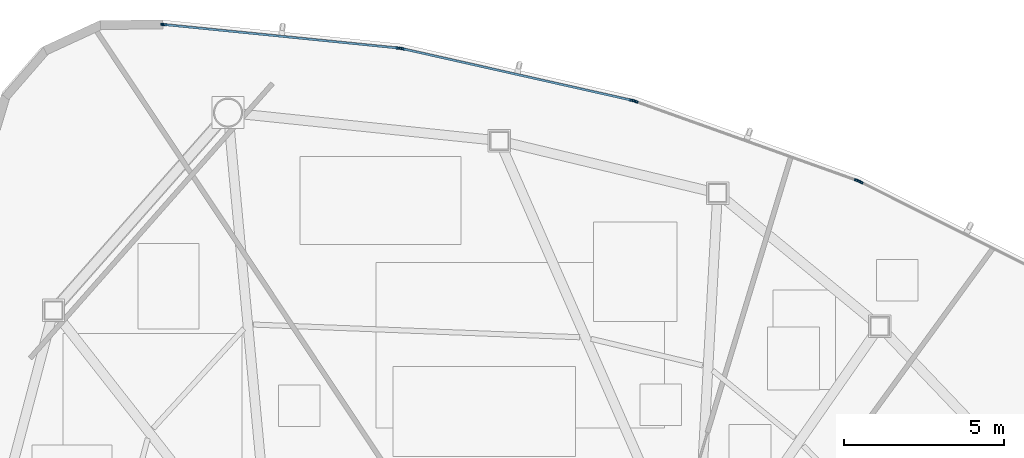
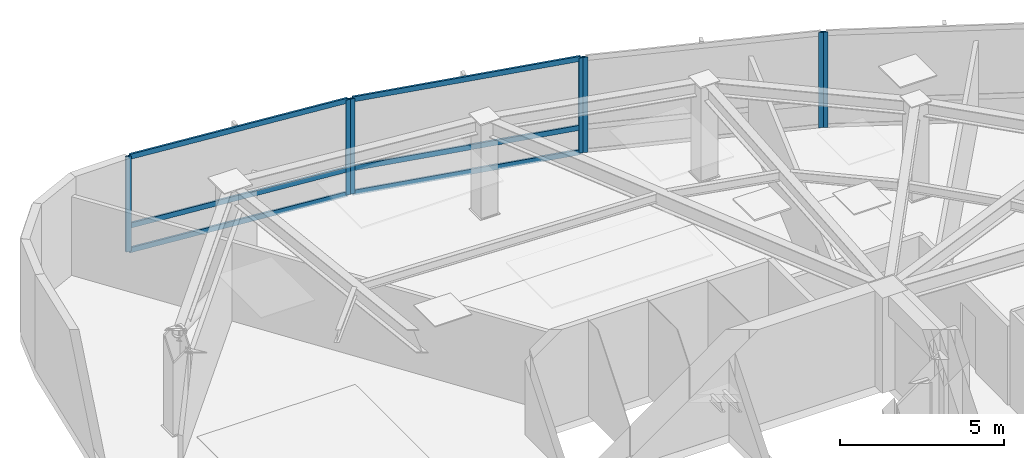
# One storey, part 8 of 17: 13 members, 4 elements without a shape of their own.
"""IFC4 building model written with IfcOpenShell, lengths in metres."""

from ifc_helpers import new_model, si_unit, direction, frame, origin, origin_2d, place, context, subcontext, project, spatial, hollow_rectangle, extrude, source, transform, mapped, material, layer, layer_set, material_profile, profile_set, type_object, type_shapes, element, aggregate, save


model = new_model("IFC4")

# Units and contexts
model_context = context("Model", 3, precision=1e-05, world=origin(), true_north=direction((0.0, 1.0)))
body_context = subcontext(model_context, "Body", "Model", "MODEL_VIEW")
ifc_project = project(units=[si_unit("LENGTHUNIT", "METRE"), si_unit("AREAUNIT", "SQUARE_METRE"), si_unit("VOLUMEUNIT", "CUBIC_METRE"), si_unit("PLANEANGLEUNIT", "RADIAN"), si_unit("MASSUNIT", "GRAM", prefix="KILO")], contexts=[model_context])

# Site, building, storey
site_placement = place(None, origin())
site = spatial("IfcSite", under=ifc_project, at=site_placement, CompositionType="ELEMENT")
building_placement = place(site_placement, origin())
building = spatial("IfcBuilding", under=site, at=building_placement, Name="Tavelor Broadcast Tower", CompositionType="ELEMENT")
storey_placement = place(building_placement, frame((0.0, 0.0, 188.75)))
storey = spatial("IfcBuildingStorey", under=building, at=storey_placement, Name="L45", CompositionType="ELEMENT", Elevation=188.75)

# Curtain wall, member
ifc_material = material(Name="Architectural Anodized Aluminium", Category="aluminium")
ifc_layer = layer(ifc_material, 0.18994140625)
ifc_layer_set = layer_set([ifc_layer], Name="Architectural Anodized Aluminium")
curtain_wall_type = type_object("IfcCurtainWallType", Name="Tower Mid-Zone Acoustic Curtain Wall CW03", PredefinedType="NOTDEFINED", material=ifc_layer_set)
curtain_wall_1_placement = place(storey_placement, origin())
curtain_wall_1 = element("IfcCurtainWall", 1, at=curtain_wall_1_placement, inside=storey, type_object=curtain_wall_type, Name="L45 Curtain Wall CW03 Run 489", PredefinedType="NOTDEFINED")
ifc_material_profile_1 = material_profile(ifc_material, hollow_rectangle(XDim=0.068115234375, YDim=0.18994140625, WallThickness=0.02197265625, at=origin_2d()), Name="RHS 68x190x22")
ifc_profile_set_1 = profile_set([ifc_material_profile_1], Name="Architectural Anodized Aluminium")
member_type_1 = type_object("IfcMemberType", Name="CW03 Extruded Aluminium Mullion 68x190", PredefinedType="MULLION", material=ifc_profile_set_1)
shared_shape_1 = source(origin(), body_context, "Body", "SweptSolid", [
    extrude(hollow_rectangle(XDim=0.068115234375, YDim=0.18994140625, WallThickness=0.02197265625, at=origin_2d()), origin(), (0.0, 0.0, 1.0), 3.550048828125),
])
type_shapes(member_type_1, [shared_shape_1])
member_1_placement = place(storey_placement, frame((61.72509765625, 63.924072265625, 0.0), z_axis=(0.0, 0.0, 1.0), x_axis=(-0.447369532173, -0.894349205671, 0.0)))
member_1 = element("IfcMember", 2, at=member_1_placement, type_object=member_type_1, Name="CW03 mullion 2", PredefinedType="MULLION", context=body_context, shape_type="MappedRepresentation", body=[
    mapped(shared_shape_1, transform((0.0, 0.0, 0.0), scale=1.0)),
])
aggregate(curtain_wall_1, [member_1])

# Curtain wall, members
curtain_wall_2_placement = place(storey_placement, origin())
curtain_wall_2 = element("IfcCurtainWall", 3, at=curtain_wall_2_placement, inside=storey, type_object=curtain_wall_type, Name="L45 Curtain Wall CW03 Run 490", PredefinedType="NOTDEFINED")
member_2_placement = place(storey_placement, frame((61.635009765625, 63.96240234375, 0.0), z_axis=(0.0, 0.0, 1.0), x_axis=(-0.335864454315, -0.941910329239, 0.0)))
member_2 = element("IfcMember", 4, at=member_2_placement, type_object=member_type_1, Name="CW03 mullion 1", PredefinedType="MULLION", context=body_context, shape_type="MappedRepresentation", body=[
    mapped(shared_shape_1, transform((0.0, 0.0, 0.0), scale=1.0)),
])
member_3_placement = place(storey_placement, frame((54.706787109375, 66.432861328125, 0.0), z_axis=(0.0, 0.0, 1.0), x_axis=(-0.335864454315, -0.941910329239, 0.0)))
member_3 = element("IfcMember", 5, at=member_3_placement, type_object=member_type_1, Name="CW03 mullion 2", PredefinedType="MULLION", context=body_context, shape_type="MappedRepresentation", body=[
    mapped(shared_shape_1, transform((0.0, 0.0, 0.0), scale=1.0)),
])
aggregate(curtain_wall_2, [member_2, member_3])

curtain_wall_3_placement = place(storey_placement, origin())
curtain_wall_3 = element("IfcCurtainWall", 6, at=curtain_wall_3_placement, inside=storey, type_object=curtain_wall_type, Name="L45 Curtain Wall CW03 Run 491", PredefinedType="NOTDEFINED")
member_4_placement = place(storey_placement, frame((54.61279296875, 66.460205078125, 0.0), z_axis=(0.0, 0.0, 1.0), x_axis=(-0.219405776906, -0.975633694098, 0.0)))
member_4 = element("IfcMember", 7, at=member_4_placement, type_object=member_type_1, Name="CW03 mullion 1", PredefinedType="MULLION", context=body_context, shape_type="MappedRepresentation", body=[
    mapped(shared_shape_1, transform((0.0, 0.0, 0.0), scale=1.0)),
])
member_5_placement = place(storey_placement, frame((47.436279296875, 68.073974609375, 0.0), z_axis=(0.0, 0.0, 1.0), x_axis=(-0.219405776906, -0.975633694098, 0.0)))
member_5 = element("IfcMember", 8, at=member_5_placement, type_object=member_type_1, Name="CW03 mullion 2", PredefinedType="MULLION", context=body_context, shape_type="MappedRepresentation", body=[
    mapped(shared_shape_1, transform((0.0, 0.0, 0.0), scale=1.0)),
])

curtain_wall_4_placement = place(storey_placement, origin())
curtain_wall_4 = element("IfcCurtainWall", 9, at=curtain_wall_4_placement, inside=storey, type_object=curtain_wall_type, Name="L45 Curtain Wall CW03 Run 492", PredefinedType="NOTDEFINED")
member_6_placement = place(storey_placement, frame((47.33984375, 68.089599609375, 0.0), z_axis=(0.0, 0.0, 1.0), x_axis=(-0.099723307254, -0.995015206914, 0.0)))
member_6 = element("IfcMember", 10, at=member_6_placement, type_object=member_type_1, Name="CW03 mullion 1", PredefinedType="MULLION", context=body_context, shape_type="MappedRepresentation", body=[
    mapped(shared_shape_1, transform((0.0, 0.0, 0.0), scale=1.0)),
])
member_7_placement = place(storey_placement, frame((40.005126953125, 68.82470703125, 0.0), z_axis=(0.0, 0.0, 1.0), x_axis=(-0.099723307254, -0.995015206914, 0.0)))
member_7 = element("IfcMember", 11, at=member_7_placement, type_object=member_type_1, Name="CW03 mullion 2", PredefinedType="MULLION", context=body_context, shape_type="MappedRepresentation", body=[
    mapped(shared_shape_1, transform((0.0, 0.0, 0.0), scale=1.0)),
])

# Member
ifc_material_profile_2 = material_profile(ifc_material, hollow_rectangle(XDim=0.068115234375, YDim=0.18994140625, WallThickness=0.02197265625, at=origin_2d()), Name="RHS 68x190x22")
ifc_profile_set_2 = profile_set([ifc_material_profile_2], Name="Architectural Anodized Aluminium")
member_type_2 = type_object("IfcMemberType", Name="CW03 Extruded Aluminium Transom 68x190", PredefinedType="USERDEFINED", material=ifc_profile_set_2)
shared_shape_2 = source(origin(), body_context, "Body", "SweptSolid", [
    extrude(hollow_rectangle(XDim=0.068115234375, YDim=0.18994140625, WallThickness=0.02197265625, at=origin_2d()), origin(), (0.0, 0.0, 1.0), 7.28759765625),
])
member_8_placement = place(storey_placement, frame((54.57958984375, 66.467529296875, 0.033935546875), z_axis=(-0.97562894379, 0.219426899077, 0.0), x_axis=(-0.219426899077, -0.97562894379, 0.0)))
member_8 = element("IfcMember", 12, at=member_8_placement, type_object=member_type_2, Name="CW03 transom 1.1", ObjectType="TRANSOM", PredefinedType="USERDEFINED", context=body_context, shape_type="MappedRepresentation", body=[
    mapped(shared_shape_2, transform((0.0, 0.0, 0.0), scale=1.0)),
])

member_9_placement = place(storey_placement, frame((54.57958984375, 66.467529296875, 0.949951171875), z_axis=(-0.97562894379, 0.219426899077, 0.0), x_axis=(-0.219426899077, -0.97562894379, 0.0)))
member_9 = element("IfcMember", 13, at=member_9_placement, type_object=member_type_2, Name="CW03 transom 1.2", ObjectType="TRANSOM", PredefinedType="USERDEFINED", context=body_context, shape_type="MappedRepresentation", body=[
    mapped(shared_shape_2, transform((0.0, 0.0, 0.0), scale=1.0)),
])

member_10_placement = place(storey_placement, frame((54.57958984375, 66.467529296875, 3.51611328125), z_axis=(-0.97562894379, 0.219426899077, 0.0), x_axis=(-0.219426899077, -0.97562894379, 0.0)))
member_10 = element("IfcMember", 14, at=member_10_placement, type_object=member_type_2, Name="CW03 transom 1.3", ObjectType="TRANSOM", PredefinedType="USERDEFINED", context=body_context, shape_type="MappedRepresentation", body=[
    mapped(shared_shape_2, transform((0.0, 0.0, 0.0), scale=1.0)),
])

aggregate(curtain_wall_3, [member_4, member_5, member_8, member_9, member_10])

shared_shape_3 = source(origin(), body_context, "Body", "SweptSolid", [
    extrude(hollow_rectangle(XDim=0.068115234375, YDim=0.18994140625, WallThickness=0.02197265625, at=origin_2d()), origin(), (0.0, 0.0, 1.0), 7.3037109375),
])
type_shapes(member_type_2, [shared_shape_2, shared_shape_3])
member_11_placement = place(storey_placement, frame((47.30615234375, 68.093017578125, 0.033935546875), z_axis=(-0.995016317968, 0.099712220798, 0.0), x_axis=(-0.099712220798, -0.995016317968, 0.0)))
member_11 = element("IfcMember", 15, at=member_11_placement, type_object=member_type_2, Name="CW03 transom 1.1", ObjectType="TRANSOM", PredefinedType="USERDEFINED", context=body_context, shape_type="MappedRepresentation", body=[
    mapped(shared_shape_3, transform((0.0, 0.0, 0.0), scale=1.0)),
])

member_12_placement = place(storey_placement, frame((47.30615234375, 68.093017578125, 0.949951171875), z_axis=(-0.995016317968, 0.099712220798, 0.0), x_axis=(-0.099712220798, -0.995016317968, 0.0)))
member_12 = element("IfcMember", 16, at=member_12_placement, type_object=member_type_2, Name="CW03 transom 1.2", ObjectType="TRANSOM", PredefinedType="USERDEFINED", context=body_context, shape_type="MappedRepresentation", body=[
    mapped(shared_shape_3, transform((0.0, 0.0, 0.0), scale=1.0)),
])

member_13_placement = place(storey_placement, frame((47.30615234375, 68.093017578125, 3.51611328125), z_axis=(-0.995016317968, 0.099712220798, 0.0), x_axis=(-0.099712220798, -0.995016317968, 0.0)))
member_13 = element("IfcMember", 17, at=member_13_placement, type_object=member_type_2, Name="CW03 transom 1.3", ObjectType="TRANSOM", PredefinedType="USERDEFINED", context=body_context, shape_type="MappedRepresentation", body=[
    mapped(shared_shape_3, transform((0.0, 0.0, 0.0), scale=1.0)),
])

aggregate(curtain_wall_4, [member_6, member_7, member_11, member_12, member_13])

save(model, "model.ifc")
